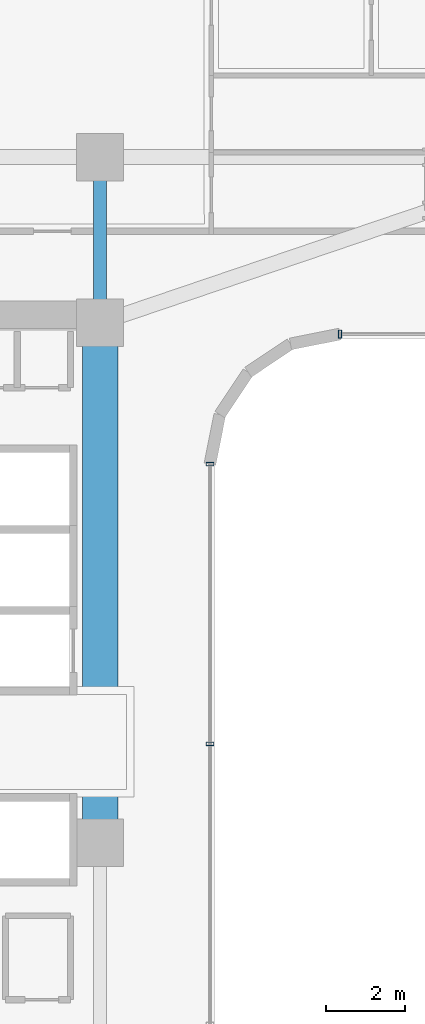
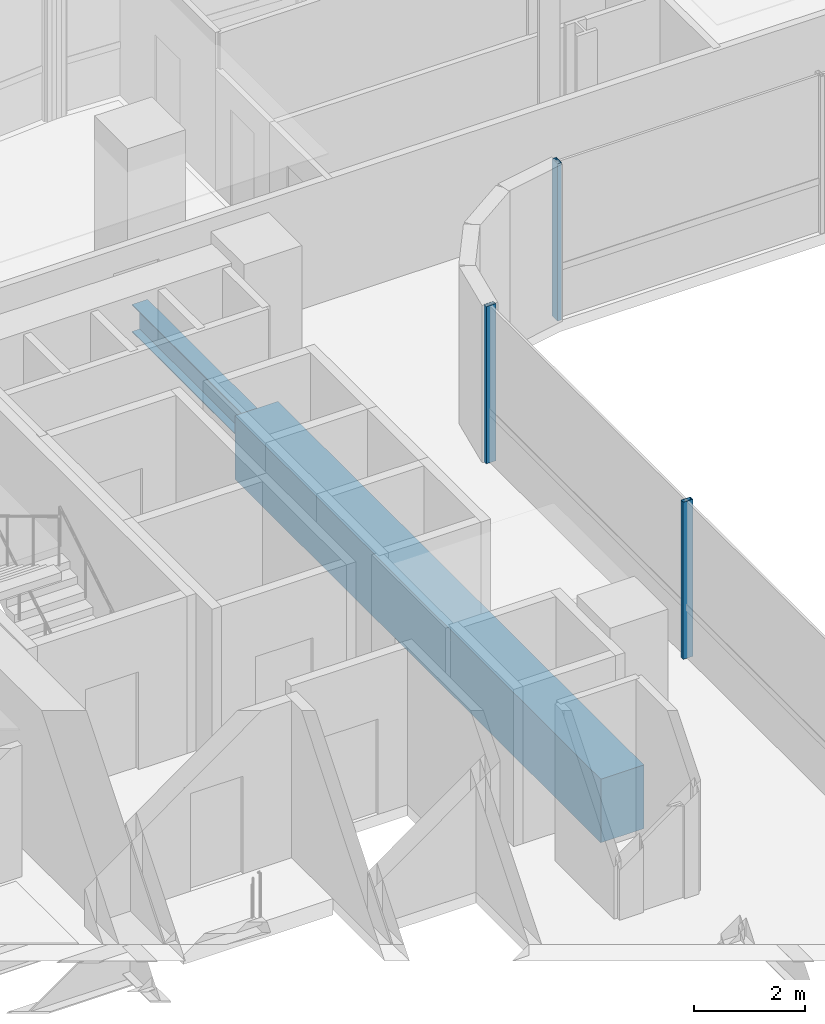
# One storey, part 9 of 36: 3 members, 2 beams, 2 elements without a shape of their own.
"""IFC4 building model written with IfcOpenShell, lengths in metres."""

import ifcopenshell
import ifcopenshell.guid

model = None  # the IFC model being written
_history = None  # IfcOwnerHistory: only IFC2X3 demands one
_inside = {}  # id of a spatial element -> (the spatial element, [elements in it])
_under = {}  # id of a project, library or spatial element -> (it, [spatial elements below it])
_declared = {}  # id of a project -> (the project, [libraries it declares])
_typed = {}  # id of a type object -> (the type object, [elements of that type])
_made_of = {}  # id of a material, layer set ... -> (it, [elements and type objects made of it])


def new_model(schema):
    """Start an empty IFC model of exactly this schema.

    Asked for "IFC4X3", IfcOpenShell would pick the latest addendum, in which some entities
    have other attributes; the version numbers below select the first issue.
    IFC2X3 requires an IfcOwnerHistory on every rooted entity: one is made here for all.
    """
    global model, _history
    if schema == "IFC4X3":
        model = ifcopenshell.file(schema_version=(4, 3, 0, 0))
    else:
        model = ifcopenshell.file(schema=schema)
    _inside.clear()
    _under.clear()
    _declared.clear()
    _typed.clear()
    _made_of.clear()
    _history = None
    if model.schema == "IFC2X3":
        org = make("IfcOrganization", Name="unknown")
        user = make(
            "IfcPersonAndOrganization",
            ThePerson=make("IfcPerson", FamilyName="unknown"),
            TheOrganization=org,
        )
        app = make(
            "IfcApplication",
            ApplicationDeveloper=org,
            Version="unknown",
            ApplicationFullName="unknown",
            ApplicationIdentifier="unknown",
        )
        _history = make(
            "IfcOwnerHistory",
            OwningUser=user,
            OwningApplication=app,
            ChangeAction="ADDED",
            CreationDate=0,
        )
    return model


def make(cls, **values):
    """One entity of the class cls with the attributes given. An attribute that is None is left unset."""
    return model.create_entity(
        cls, **{name: value for name, value in values.items() if value is not None}
    )


def rooted(cls, **values):
    """An entity with a GlobalId (a new one), such as an element, a storey or a relation."""
    return make(cls, GlobalId=ifcopenshell.guid.new(), OwnerHistory=_history, **values)


def si_unit(unit_type, name, prefix=None):
    """IfcSIUnit, for example si_unit("LENGTHUNIT", "METRE", prefix="MILLI")."""
    return make("IfcSIUnit", UnitType=unit_type, Prefix=prefix, Name=name)


def assignment(units):
    """IfcUnitAssignment: the units of a project."""
    return None if units is None else make("IfcUnitAssignment", Units=units)


def point(xyz):
    """IfcCartesianPoint."""
    return None if xyz is None else make("IfcCartesianPoint", Coordinates=xyz)


def direction(xyz):
    """IfcDirection."""
    return None if xyz is None else make("IfcDirection", DirectionRatios=xyz)


def frame(location, z_axis=None, x_axis=None):
    """IfcAxis2Placement3D, a coordinate frame: its origin and axes. An axis left out is left unset."""
    return make(
        "IfcAxis2Placement3D",
        Location=point(location),
        Axis=direction(z_axis),
        RefDirection=direction(x_axis),
    )


def frame_2d(location, x_axis=None):
    """IfcAxis2Placement2D, a coordinate frame in the plane: its origin and x axis."""
    return make(
        "IfcAxis2Placement2D", Location=point(location), RefDirection=direction(x_axis)
    )


def origin():
    """The frame at (0, 0, 0) with its axes left unset."""
    return frame((0.0, 0.0, 0.0))


def origin_2d():
    """The frame at (0, 0) in the plane with its x axis left unset."""
    return frame_2d((0.0, 0.0))


def place(relative_to, where):
    """IfcLocalPlacement: puts the frame where relative to a parent placement (None: the world)."""
    return make(
        "IfcLocalPlacement", PlacementRelTo=relative_to, RelativePlacement=where
    )


def context(
    kind, dimensions, precision=None, world=None, true_north=None, identifier=None
):
    """IfcGeometricRepresentationContext, for example the 3D "Model" context."""
    return make(
        "IfcGeometricRepresentationContext",
        ContextIdentifier=identifier,
        ContextType=kind,
        CoordinateSpaceDimension=dimensions,
        Precision=precision,
        WorldCoordinateSystem=world,
        TrueNorth=true_north,
    )


def subcontext(parent, identifier, kind, view, scale=None):
    """IfcGeometricRepresentationSubContext, for example "Body" below "Model"."""
    return make(
        "IfcGeometricRepresentationSubContext",
        ContextIdentifier=identifier,
        ContextType=kind,
        ParentContext=parent,
        TargetScale=scale,
        TargetView=view,
    )


def project(units=None, contexts=None):
    """IfcProject with its units and contexts."""
    return rooted(
        "IfcProject",
        Name="project",
        RepresentationContexts=contexts,
        UnitsInContext=assignment(units),
    )


def spatial(cls, under=None, at=None, **own):
    """A site, building, storey or space (cls), placed at a placement, below another one or the project."""
    s = rooted(cls, ObjectPlacement=at, **own)
    if under is not None:
        _under.setdefault(under.id(), (under, []))[1].append(s)
    return s


def profile(cls, at=None, kind="AREA", **sizes):
    """A parametric profile (cls). Its sizes go by their IFC names, for example OverallWidth=200.0."""
    return make(cls, ProfileType=kind, Position=at, **sizes)


def rectangle(**sizes):
    """IfcRectangleProfileDef."""
    return profile("IfcRectangleProfileDef", **sizes)


def hollow_rectangle(**sizes):
    """IfcRectangleHollowProfileDef."""
    return profile("IfcRectangleHollowProfileDef", **sizes)


def i_section(**sizes):
    """IfcIShapeProfileDef."""
    return profile("IfcIShapeProfileDef", **sizes)


def extrude(swept, where, along, depth):
    """IfcExtrudedAreaSolid: the profile swept, set in the frame where, extruded along a direction by depth."""
    return make(
        "IfcExtrudedAreaSolid",
        SweptArea=swept,
        Position=where,
        ExtrudedDirection=direction(along),
        Depth=depth,
    )


def shape(context_of_items, identifier, shape_type, items):
    """IfcShapeRepresentation: the items that make up one representation, for example the "Body"."""
    return make(
        "IfcShapeRepresentation",
        ContextOfItems=context_of_items,
        RepresentationIdentifier=identifier,
        RepresentationType=shape_type,
        Items=items,
    )


def source(mapping_origin, context_of_items, identifier, shape_type, items):
    """IfcRepresentationMap: a shape defined once, which mapped items show again and again."""
    return make(
        "IfcRepresentationMap",
        MappingOrigin=mapping_origin,
        MappedRepresentation=shape(context_of_items, identifier, shape_type, items),
    )


def transform(
    local_origin,
    x_axis=None,
    y_axis=None,
    z_axis=None,
    scale=None,
    scale2=None,
    scale3=None,
    uniform=True,
):
    """IfcCartesianTransformationOperator3D, or its non-uniform kind. x_axis, y_axis, z_axis: its Axis1, 2, 3."""
    if uniform:
        return make(
            "IfcCartesianTransformationOperator3D",
            Axis1=direction(x_axis),
            Axis2=direction(y_axis),
            LocalOrigin=point(local_origin),
            Scale=scale,
            Axis3=direction(z_axis),
        )
    return make(
        "IfcCartesianTransformationOperator3DnonUniform",
        Axis1=direction(x_axis),
        Axis2=direction(y_axis),
        LocalOrigin=point(local_origin),
        Scale=scale,
        Axis3=direction(z_axis),
        Scale2=scale2,
        Scale3=scale3,
    )


def mapped(mapping_source, mapping_target):
    """IfcMappedItem: shows the shape of a source again, moved by a transform."""
    return make(
        "IfcMappedItem", MappingSource=mapping_source, MappingTarget=mapping_target
    )


def material(Name=None, Category=None):
    """IfcMaterial."""
    return make("IfcMaterial", Name=Name, Category=Category)


def material_profile(
    of_material, cross_section, Name=None, Category=None, Priority=None
):
    """IfcMaterialProfile: a cross section and its material."""
    return make(
        "IfcMaterialProfile",
        Name=Name,
        Material=of_material,
        Profile=cross_section,
        Priority=Priority,
        Category=Category,
    )


def profile_set(profiles, Name=None, composite=None):
    """IfcMaterialProfileSet."""
    return make(
        "IfcMaterialProfileSet",
        Name=Name,
        MaterialProfiles=profiles,
        CompositeProfile=composite,
    )


def made_of(thing, what):
    """Note that an element or type object is made of a material, layer set ...; save() writes the relation."""
    if what is not None:
        _made_of.setdefault(what.id(), (what, []))[1].append(thing)
    return thing


def type_object(cls, material=None, **own):
    """A type object (cls), such as IfcWallType, which elements share."""
    return made_of(rooted(cls, **own), material)


def element(
    cls,
    number,
    at=None,
    inside=None,
    cuts=None,
    type_object=None,
    material=None,
    context=None,
    identifier="Body",
    shape_type=None,
    held_by="IfcProductDefinitionShape",
    body=None,
    shapes=None,
    **own,
):
    """One element of the class cls, such as IfcWall. Its Tag is "e" and its number.

    at: its placement. inside: the storey or other place that contains it. cuts: it is an
    opening in that element (IfcRelVoidsElement). A single representation is given by context,
    identifier, shape_type and body (its items); several are given by shapes. held_by: the class
    of the entity that holds the representations. save() writes the other relations.
    """
    e = rooted(cls, Tag="e%d" % number, ObjectPlacement=at, **own)
    if body is not None:
        shapes = [shape(context, identifier, shape_type, body)]
    if shapes is not None:
        e.Representation = make(held_by, Representations=shapes)
    if inside is not None:
        _inside.setdefault(inside.id(), (inside, []))[1].append(e)
    if cuts is not None:
        rooted(
            "IfcRelVoidsElement", RelatingBuildingElement=cuts, RelatedOpeningElement=e
        )
    if type_object is not None:
        _typed.setdefault(type_object.id(), (type_object, []))[1].append(e)
    return made_of(e, material)


def aggregate(whole, parts):
    """IfcRelAggregates: a whole, such as a stair, and the parts it consists of."""
    return rooted("IfcRelAggregates", RelatingObject=whole, RelatedObjects=parts)


def save(model, path):
    """Write the relations noted so far, then the file.

    IfcRelAggregates (storeys below a building ...), IfcRelContainedInSpatialStructure (elements
    in a storey), IfcRelDefinesByType, IfcRelAssociatesMaterial and IfcRelDeclares: one each for
    every whole, place, type object, material and project.
    """
    for whole, parts in _under.values():
        aggregate(whole, parts)
    for where, things in _inside.values():
        rooted(
            "IfcRelContainedInSpatialStructure",
            RelatedElements=things,
            RelatingStructure=where,
        )
    for kind, things in _typed.values():
        rooted("IfcRelDefinesByType", RelatedObjects=things, RelatingType=kind)
    for what, things in _made_of.values():
        rooted("IfcRelAssociatesMaterial", RelatedObjects=things, RelatingMaterial=what)
    for by, libraries in _declared.values():
        rooted("IfcRelDeclares", RelatingContext=by, RelatedDefinitions=libraries)
    model.write(path)


model = new_model("IFC4")

# Units and contexts
model_context = context("Model", 3, precision=1e-05, world=origin(), true_north=direction((0.0, 1.0)))
body_context = subcontext(model_context, "Body", "Model", "MODEL_VIEW")
ifc_project = project(units=[si_unit("LENGTHUNIT", "METRE"), si_unit("AREAUNIT", "SQUARE_METRE"), si_unit("VOLUMEUNIT", "CUBIC_METRE"), si_unit("PLANEANGLEUNIT", "RADIAN"), si_unit("MASSUNIT", "GRAM", prefix="KILO")], contexts=[model_context])

# Site, building, storey
site_placement = place(None, origin())
site = spatial("IfcSite", under=ifc_project, at=site_placement, CompositionType="ELEMENT")
building_placement = place(site_placement, origin())
building = spatial("IfcBuilding", under=site, at=building_placement, Name="Valdorenza Pilgrim Sanctuary Tower", CompositionType="ELEMENT")
storey_placement = place(building_placement, frame((0.0, 0.0, 109.39990234375)))
storey = spatial("IfcBuildingStorey", under=building, at=storey_placement, Name="L27", CompositionType="ELEMENT", Elevation=109.39990234375)

# Beams
ifc_material_1 = material(Name="Concrete C60/75", Category="concrete")
ifc_material_profile_1 = material_profile(ifc_material_1, rectangle(XDim=0.89990234375, YDim=1.39990234375, at=origin_2d()), Name="RC 1400x900")
ifc_profile_set_1 = profile_set([ifc_material_profile_1], Name="Concrete C60/75")
beam_type_1 = type_object("IfcBeamType", Name="STR-BM-LNT-1400", PredefinedType="LINTEL", material=ifc_profile_set_1)
shared_shape_1 = source(origin(), body_context, "Body", "SweptSolid", [
    extrude(rectangle(XDim=0.89990234375, YDim=1.39990234375, at=origin_2d()), origin(), (0.0, 0.0, 1.0), 13.2001953125),
])
beam_1_placement = place(storey_placement, frame((-12.39990234375, -2.60009765625, -0.739990234375), z_axis=(0.0, 1.0, 0.0), x_axis=(-1.0, 0.0, 0.0)))
element("IfcBeam", 1, at=beam_1_placement, inside=storey, type_object=beam_type_1, Name="L27 Core A Coupling Lintel Girder", PredefinedType="LINTEL", context=body_context, shape_type="MappedRepresentation", body=[
    mapped(shared_shape_1, transform((0.0, 0.0, 0.0), x_axis=(1.0, 0.0, 0.0), y_axis=(0.0, 1.0, 0.0), z_axis=(0.0, 0.0, 1.0), scale=1.0)),
])
ifc_material_2 = material(Name="Steel ASTM A992 Grade 50", Category="steel")
ifc_material_profile_2 = material_profile(ifc_material_2, i_section(OverallWidth=0.323974609375, OverallDepth=0.611083984375, WebThickness=0.0126953125, FlangeThickness=0.01904296875, at=origin_2d()), Name="W24X104")
ifc_profile_set_2 = profile_set([ifc_material_profile_2], Name="Steel ASTM A992 Grade 50")
beam_type_2 = type_object("IfcBeamType", Name="STR-BM-GRD-W24B", PredefinedType="BEAM", material=ifc_profile_set_2)
shared_shape_2 = source(origin(), body_context, "Body", "SweptSolid", [
    extrude(i_section(OverallWidth=0.323974609375, OverallDepth=0.611083984375, WebThickness=0.0126953125, FlangeThickness=0.01904296875, at=origin_2d()), origin(), (0.0, 0.0, 1.0), 4.199951171875),
])
beam_2_placement = place(storey_placement, frame((-12.39990234375, 10.60009765625, -0.54541015625), z_axis=(0.0, 1.0, 0.0), x_axis=(-1.0, 0.0, 0.0)))
element("IfcBeam", 2, at=beam_2_placement, inside=storey, type_object=beam_type_2, Name="L27 Core Tie Girder CA-E-N1N2", PredefinedType="BEAM", context=body_context, shape_type="MappedRepresentation", body=[
    mapped(shared_shape_2, transform((0.0, 0.0, 0.0), x_axis=(1.0, 0.0, 0.0), y_axis=(0.0, 1.0, 0.0), z_axis=(0.0, 0.0, 1.0), scale=1.0)),
])

# Curtain wall, member
ifc_material_3 = material(Name="Curtain-wall IGU glazing", Category="glass")
curtain_wall_type = type_object("IfcCurtainWallType", Name="CW-SYS-02", PredefinedType="NOTDEFINED", material=ifc_material_3)
curtain_wall_1_placement = place(storey_placement, origin())
curtain_wall_1 = element("IfcCurtainWall", 3, at=curtain_wall_1_placement, inside=storey, type_object=curtain_wall_type, Name="L27 Curtain Wall CW-L27-1-36", PredefinedType="NOTDEFINED")
ifc_material_4 = material(Name="Anodised aluminium AW-6060", Category="aluminium")
ifc_material_profile_3 = material_profile(ifc_material_4, hollow_rectangle(XDim=0.0849609375, YDim=0.199951171875, WallThickness=0.0048828125, at=origin_2d()), Name="ALU-M 200x85x5")
ifc_profile_set_3 = profile_set([ifc_material_profile_3], Name="Anodised aluminium AW-6060")
member_type = type_object("IfcMemberType", Name="CW-MUL-02", PredefinedType="MULLION", material=ifc_profile_set_3)
shared_shape_3 = source(origin(), body_context, "Body", "SweptSolid", [
    extrude(hollow_rectangle(XDim=0.0849609375, YDim=0.199951171875, WallThickness=0.0048828125, at=origin_2d()), origin(), (0.0, 0.0, 1.0), 3.460205078125),
])
member_1_placement = place(storey_placement, frame((-6.310791015625, 10.31005859375, 0.0), z_axis=(0.0, 0.0, 1.0), x_axis=(-1.0, 0.0, 0.0)))
member_1 = element("IfcMember", 4, at=member_1_placement, type_object=member_type, Name="CW-L27-1-36 Mullion 4", PredefinedType="MULLION", context=body_context, shape_type="MappedRepresentation", body=[
    mapped(shared_shape_3, transform((0.0, 0.0, 0.0), x_axis=(1.0, 0.0, 0.0), y_axis=(0.0, 1.0, 0.0), z_axis=(0.0, 0.0, 1.0), scale=1.0)),
])
aggregate(curtain_wall_1, [member_1])

# Curtain wall, members
curtain_wall_2_placement = place(storey_placement, origin())
curtain_wall_2 = element("IfcCurtainWall", 5, at=curtain_wall_2_placement, inside=storey, type_object=curtain_wall_type, Name="L27 Curtain Wall CW-L27-1-41", PredefinedType="NOTDEFINED")
member_2_placement = place(storey_placement, frame((-9.610107421875, 7.0107421875, 0.0), z_axis=(0.0, 0.0, 1.0), x_axis=(0.0, -1.0, 0.0)))
member_2 = element("IfcMember", 6, at=member_2_placement, type_object=member_type, Name="CW-L27-1-41 Mullion 1", PredefinedType="MULLION", context=body_context, shape_type="MappedRepresentation", body=[
    mapped(shared_shape_3, transform((0.0, 0.0, 0.0), x_axis=(1.0, 0.0, 0.0), y_axis=(0.0, 1.0, 0.0), z_axis=(0.0, 0.0, 1.0), scale=1.0)),
])
member_3_placement = place(storey_placement, frame((-9.610107421875, -0.089111328125, 0.0), z_axis=(0.0, 0.0, 1.0), x_axis=(0.0, -1.0, 0.0)))
member_3 = element("IfcMember", 7, at=member_3_placement, type_object=member_type, Name="CW-L27-1-41 Mullion 2", PredefinedType="MULLION", context=body_context, shape_type="MappedRepresentation", body=[
    mapped(shared_shape_3, transform((0.0, 0.0, 0.0), x_axis=(1.0, 0.0, 0.0), y_axis=(0.0, 1.0, 0.0), z_axis=(0.0, 0.0, 1.0), scale=1.0)),
])
aggregate(curtain_wall_2, [member_2, member_3])

save(model, "model.ifc")
